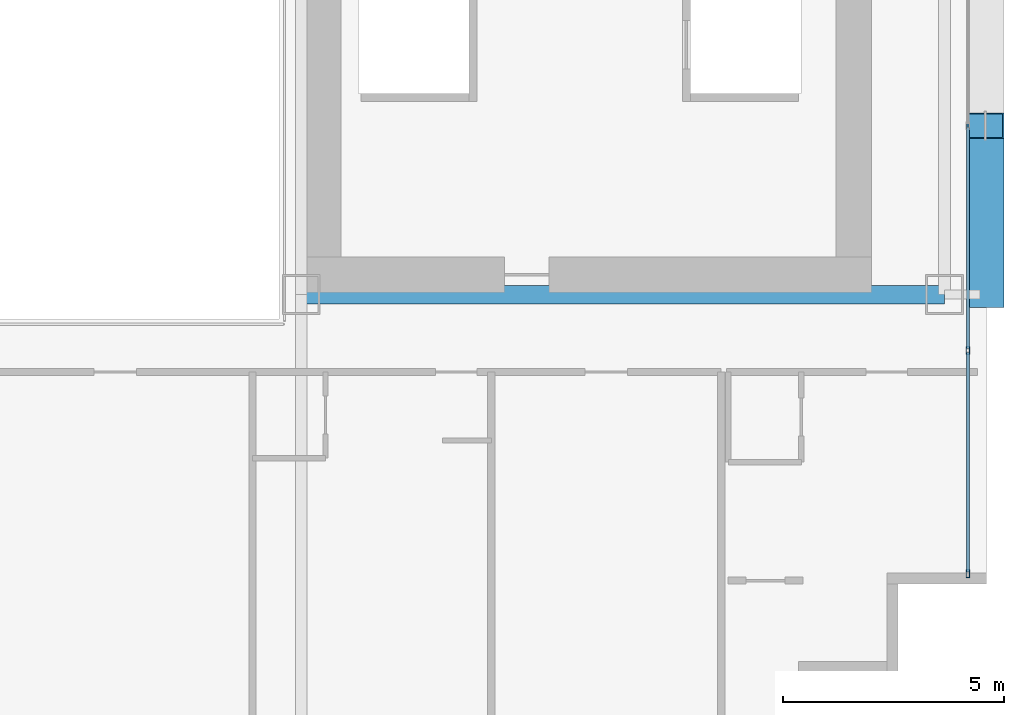
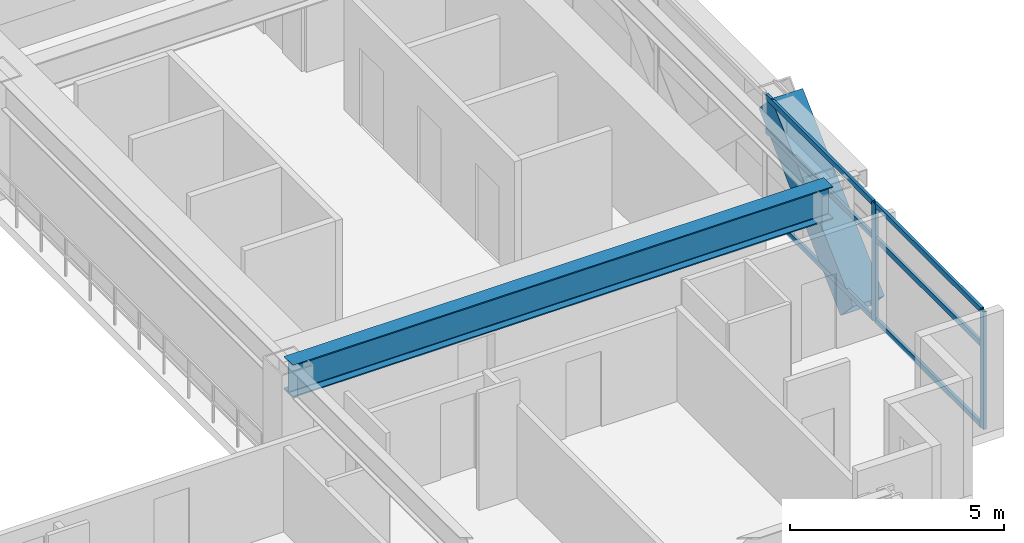
# One storey, part 11 of 35: 9 members, 1 beam, 1 element without a shape of its own.
"""IFC4 building model written with IfcOpenShell, lengths in metres."""

from ifc_helpers import new_model, si_unit, direction, frame, origin, origin_2d, place, context, subcontext, project, spatial, hollow_rectangle, i_section, extrude, source, transform, mapped, material, layer, layer_set, material_profile, profile_set, type_object, element, aggregate, save


model = new_model("IFC4")

# Units and contexts
model_context = context("Model", 3, precision=1e-05, world=origin(), true_north=direction((0.0, 1.0)))
body_context = subcontext(model_context, "Body", "Model", "MODEL_VIEW")
ifc_project = project(units=[si_unit("LENGTHUNIT", "METRE"), si_unit("AREAUNIT", "SQUARE_METRE"), si_unit("VOLUMEUNIT", "CUBIC_METRE"), si_unit("PLANEANGLEUNIT", "RADIAN"), si_unit("MASSUNIT", "GRAM", prefix="KILO")], contexts=[model_context])

# Site, building, storey
site_placement = place(None, origin())
site = spatial("IfcSite", under=ifc_project, at=site_placement, CompositionType="ELEMENT")
building_placement = place(site_placement, origin())
building = spatial("IfcBuilding", under=site, at=building_placement, Name="Ocotamira Hotel", CompositionType="ELEMENT")
storey_placement = place(building_placement, frame((0.0, 0.0, 49.199951171875)))
storey = spatial("IfcBuildingStorey", under=building, at=storey_placement, Name="L11", CompositionType="ELEMENT", Elevation=49.199951171875)

# Beam
ifc_material_1 = material(Name="Steel ASTM A992 Grade 50", Category="steel")
ifc_material_profile_1 = material_profile(ifc_material_1, i_section(OverallWidth=0.41796875, OverallDepth=0.927001953125, WebThickness=0.019287109375, FlangeThickness=0.031982421875, FilletRadius=0.02392578125, at=origin_2d()), Name="W36X231")
ifc_profile_set_1 = profile_set([ifc_material_profile_1], Name="Steel ASTM A992 Grade 50")
beam_type = type_object("IfcBeamType", Name="BM-GIRD-W36X231", PredefinedType="BEAM", material=ifc_profile_set_1)
shared_shape_1 = source(origin(), body_context, "Body", "SweptSolid", [
    extrude(i_section(OverallWidth=0.41796875, OverallDepth=0.927001953125, WebThickness=0.019287109375, FlangeThickness=0.031982421875, FilletRadius=0.02392578125, at=origin_2d()), origin(), (0.0, 0.0, 1.0), 14.550048828125),
])
beam_placement = place(storey_placement, frame((40.5, 14.550048828125, 2.886474609375), z_axis=(1.0, 0.0, 0.0), x_axis=(0.0, 1.0, 0.0)))
element("IfcBeam", 1, at=beam_placement, inside=storey, type_object=beam_type, Name="L11 Girder Y14.55 X40.5-55.05", PredefinedType="BEAM", context=body_context, shape_type="MappedRepresentation", body=[
    mapped(shared_shape_1, transform((0.0, 0.0, 0.0), scale=1.0)),
])

# Member
ifc_material_2 = material(Name="Pale-metal coated steel ASTM A913 Grade 65", Category="steel")
ifc_material_profile_2 = material_profile(ifc_material_2, hollow_rectangle(XDim=0.85009765625, YDim=0.85009765625, WallThickness=0.035888671875, at=origin_2d()), Name="BOX850X850X36")
ifc_profile_set_2 = profile_set([ifc_material_profile_2], Name="Pale-metal coated steel ASTM A913 Grade 65")
member_type_1 = type_object("IfcMemberType", Name="MEM-EXO-BOX850", PredefinedType="BRACE", material=ifc_profile_set_2)
shared_shape_2 = source(origin(), body_context, "Body", "SweptSolid", [
    extrude(hollow_rectangle(XDim=0.85009765625, YDim=0.85009765625, WallThickness=0.035888671875, at=origin_2d()), origin(), (0.0, 0.0, 1.0), 5.24658203125),
])
member_1_placement = place(storey_placement, frame((55.969970703125, 14.550048828125, -0.5), z_axis=(0.0, 0.727442733726, 0.686168397078), x_axis=(-1.0, 0.0, 0.0)))
element("IfcMember", 2, at=member_1_placement, inside=storey, type_object=member_type_1, Name="L11 Exoskeleton Diagrid E0.1", PredefinedType="BRACE", context=body_context, shape_type="MappedRepresentation", body=[
    mapped(shared_shape_2, transform((0.0, 0.0, 0.0), scale=1.0)),
])

# Curtain wall, members
ifc_material_3 = material(Name="Anodised pale-metal aluminium and solar glass", Category="aluminium")
ifc_layer = layer(ifc_material_3, 0.179931640625)
ifc_layer_set = layer_set([ifc_layer], Name="Anodised pale-metal aluminium and solar glass")
curtain_wall_type = type_object("IfcCurtainWallType", Name="CW-SYS2-Z1", PredefinedType="NOTDEFINED", material=ifc_layer_set)
curtain_wall_placement = place(storey_placement, origin())
curtain_wall = element("IfcCurtainWall", 3, at=curtain_wall_placement, inside=storey, type_object=curtain_wall_type, Name="L11 Curtain Wall CW-2 CW-L11-E", PredefinedType="NOTDEFINED")
ifc_material_4 = material(Name="Anodised pale-metal aluminium 6063-T6", Category="aluminium")
ifc_material_profile_3 = material_profile(ifc_material_4, hollow_rectangle(XDim=0.074951171875, YDim=0.14990234375, WallThickness=0.006103515625, at=origin_2d()), Name="HSS150X75X6")
ifc_profile_set_3 = profile_set([ifc_material_profile_3], Name="Anodised pale-metal aluminium 6063-T6")
member_type_2 = type_object("IfcMemberType", Name="CWT-150X75", PredefinedType="USERDEFINED", material=ifc_profile_set_3)
shared_shape_3 = source(origin(), body_context, "Body", "SweptSolid", [
    extrude(hollow_rectangle(XDim=0.074951171875, YDim=0.14990234375, WallThickness=0.006103515625, at=origin_2d()), origin(), (0.0, 0.0, 1.0), 4.965576171875),
])
member_2_placement = place(storey_placement, frame((55.580078125, 8.280029296875, 0.03759765625), z_axis=(0.0, 1.0, 0.0), x_axis=(-1.0, 0.0, 0.0)))
member_2 = element("IfcMember", 4, at=member_2_placement, type_object=member_type_2, Name="CW-2 transom 1.1", ObjectType="TRANSOM", PredefinedType="USERDEFINED", context=body_context, shape_type="MappedRepresentation", body=[
    mapped(shared_shape_3, transform((0.0, 0.0, 0.0), scale=1.0)),
])
member_3_placement = place(storey_placement, frame((55.580078125, 8.280029296875, 2.35009765625), z_axis=(0.0, 1.0, 0.0), x_axis=(-1.0, 0.0, 0.0)))
member_3 = element("IfcMember", 5, at=member_3_placement, type_object=member_type_2, Name="CW-2 transom 1.2", ObjectType="TRANSOM", PredefinedType="USERDEFINED", context=body_context, shape_type="MappedRepresentation", body=[
    mapped(shared_shape_3, transform((0.0, 0.0, 0.0), scale=1.0)),
])
member_4_placement = place(storey_placement, frame((55.580078125, 8.280029296875, 3.3125), z_axis=(0.0, 1.0, 0.0), x_axis=(-1.0, 0.0, 0.0)))
member_4 = element("IfcMember", 6, at=member_4_placement, type_object=member_type_2, Name="CW-2 transom 1.3", ObjectType="TRANSOM", PredefinedType="USERDEFINED", context=body_context, shape_type="MappedRepresentation", body=[
    mapped(shared_shape_3, transform((0.0, 0.0, 0.0), scale=1.0)),
])
shared_shape_4 = source(origin(), body_context, "Body", "SweptSolid", [
    extrude(hollow_rectangle(XDim=0.074951171875, YDim=0.14990234375, WallThickness=0.006103515625, at=origin_2d()), origin(), (0.0, 0.0, 1.0), 5.005859375),
])
member_5_placement = place(storey_placement, frame((55.580078125, 13.32568359375, 0.03759765625), z_axis=(0.0, 1.0, 0.0), x_axis=(-1.0, 0.0, 0.0)))
member_5 = element("IfcMember", 7, at=member_5_placement, type_object=member_type_2, Name="CW-2 transom 2.1", ObjectType="TRANSOM", PredefinedType="USERDEFINED", context=body_context, shape_type="MappedRepresentation", body=[
    mapped(shared_shape_4, transform((0.0, 0.0, 0.0), scale=1.0)),
])
member_6_placement = place(storey_placement, frame((55.580078125, 13.32568359375, 2.35009765625), z_axis=(0.0, 1.0, 0.0), x_axis=(-1.0, 0.0, 0.0)))
member_6 = element("IfcMember", 8, at=member_6_placement, type_object=member_type_2, Name="CW-2 transom 2.2", ObjectType="TRANSOM", PredefinedType="USERDEFINED", context=body_context, shape_type="MappedRepresentation", body=[
    mapped(shared_shape_4, transform((0.0, 0.0, 0.0), scale=1.0)),
])
member_7_placement = place(storey_placement, frame((55.580078125, 13.32568359375, 3.3125), z_axis=(0.0, 1.0, 0.0), x_axis=(-1.0, 0.0, 0.0)))
member_7 = element("IfcMember", 9, at=member_7_placement, type_object=member_type_2, Name="CW-2 transom 2.3", ObjectType="TRANSOM", PredefinedType="USERDEFINED", context=body_context, shape_type="MappedRepresentation", body=[
    mapped(shared_shape_4, transform((0.0, 0.0, 0.0), scale=1.0)),
])
ifc_material_profile_4 = material_profile(ifc_material_4, hollow_rectangle(XDim=0.080078125, YDim=0.179931640625, WallThickness=0.006103515625, at=origin_2d()), Name="HSS180X80X6")
ifc_profile_set_4 = profile_set([ifc_material_profile_4], Name="Anodised pale-metal aluminium 6063-T6")
member_type_3 = type_object("IfcMemberType", Name="CWM-180X75", PredefinedType="MULLION", material=ifc_profile_set_4)
shared_shape_5 = source(origin(), body_context, "Body", "SweptSolid", [
    extrude(hollow_rectangle(XDim=0.080078125, YDim=0.179931640625, WallThickness=0.006103515625, at=origin_2d()), origin(), (0.0, 0.0, 1.0), 3.35009765625),
])
member_8_placement = place(storey_placement, frame((55.580078125, 8.239990234375, 0.0), z_axis=(0.0, 0.0, 1.0), x_axis=(-1.0, 0.0, 0.0)))
member_8 = element("IfcMember", 10, at=member_8_placement, type_object=member_type_3, Name="CW-2 mullion 1", PredefinedType="MULLION", context=body_context, shape_type="MappedRepresentation", body=[
    mapped(shared_shape_5, transform((0.0, 0.0, 0.0), scale=1.0)),
])
member_9_placement = place(storey_placement, frame((55.580078125, 13.28564453125, 0.0), z_axis=(0.0, 0.0, 1.0), x_axis=(-1.0, 0.0, 0.0)))
member_9 = element("IfcMember", 11, at=member_9_placement, type_object=member_type_3, Name="CW-2 mullion 2", PredefinedType="MULLION", context=body_context, shape_type="MappedRepresentation", body=[
    mapped(shared_shape_5, transform((0.0, 0.0, 0.0), scale=1.0)),
])
aggregate(curtain_wall, [member_8, member_9, member_2, member_3, member_4, member_5, member_6, member_7])

save(model, "model.ifc")
